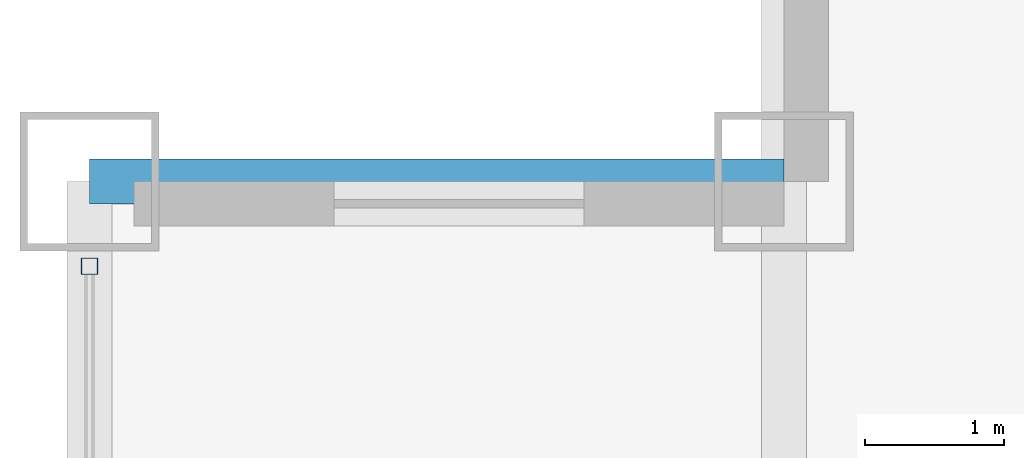
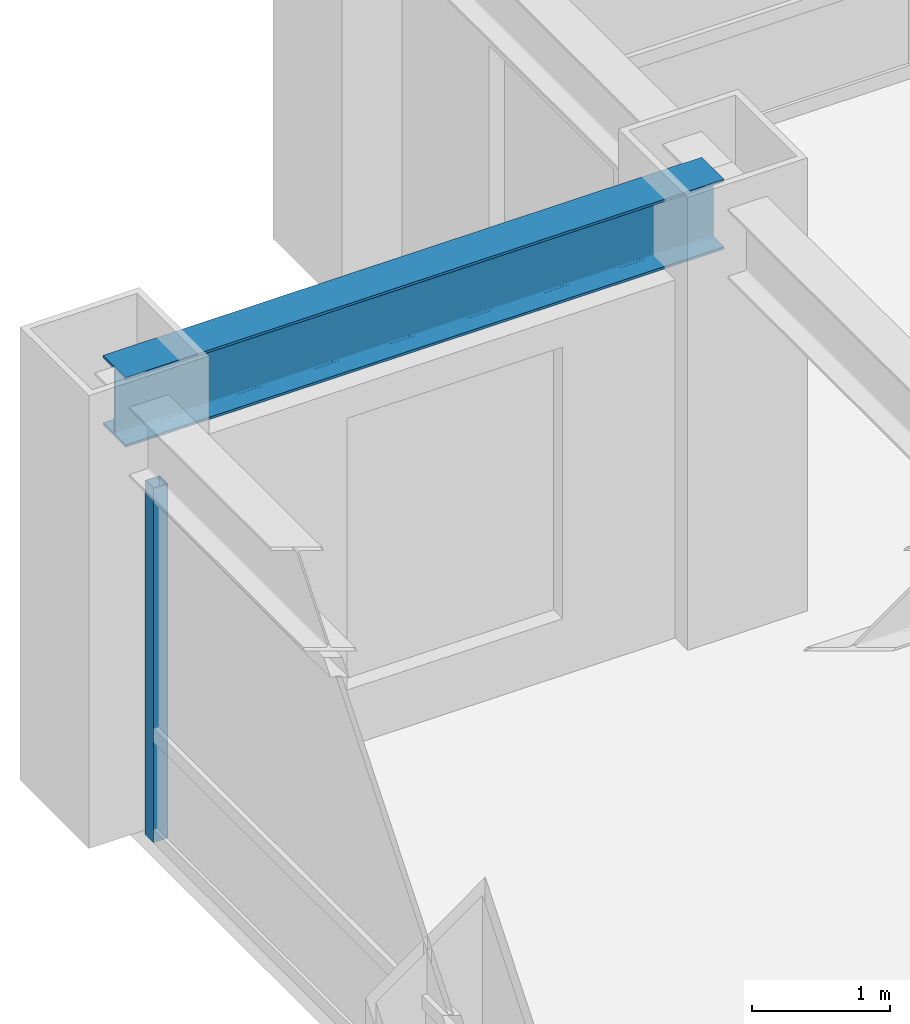
# One storey, part 12 of 24: 1 beam, 1 member, 1 element without a shape of its own.
"""IFC4 building model written with IfcOpenShell, lengths in metres."""

from ifc_helpers import new_model, si_unit, direction, frame, origin, origin_2d, place, context, subcontext, project, spatial, hollow_rectangle, i_section, extrude, source, transform, mapped, material, material_profile, profile_set, type_object, element, aggregate, save


model = new_model("IFC4")

# Units and contexts
model_context = context("Model", 3, precision=1e-05, world=origin(), true_north=direction((0.0, 1.0)))
body_context = subcontext(model_context, "Body", "Model", "MODEL_VIEW")
ifc_project = project(units=[si_unit("LENGTHUNIT", "METRE"), si_unit("AREAUNIT", "SQUARE_METRE"), si_unit("VOLUMEUNIT", "CUBIC_METRE"), si_unit("PLANEANGLEUNIT", "RADIAN"), si_unit("MASSUNIT", "GRAM", prefix="KILO")], contexts=[model_context])

# Site, building, storey
site_placement = place(None, origin())
site = spatial("IfcSite", under=ifc_project, at=site_placement, CompositionType="ELEMENT")
building_placement = place(site_placement, origin())
building = spatial("IfcBuilding", under=site, at=building_placement, Name="Khorayat Bourse Tower", CompositionType="ELEMENT")
storey_placement = place(building_placement, frame((0.0, 0.0, 259.10009765625)))
storey = spatial("IfcBuildingStorey", under=building, at=storey_placement, Name="L61", CompositionType="ELEMENT", Elevation=259.10009765625)

# Beam
ifc_material_1 = material(Name="Steel ASTM A992 Grade 50", Category="steel")
ifc_material_profile_1 = material_profile(ifc_material_1, i_section(OverallWidth=0.324951171875, OverallDepth=0.615966796875, WebThickness=0.013916015625, FlangeThickness=0.021484375, FilletRadius=0.01611328125, at=origin_2d()), Name="W610X174")
ifc_profile_set_1 = profile_set([ifc_material_profile_1], Name="Steel ASTM A992 Grade 50")
beam_type = type_object("IfcBeamType", Name="BM-SPAN-610", PredefinedType="SPANDREL", material=ifc_profile_set_1)
shared_shape_1 = source(origin(), body_context, "Body", "SweptSolid", [
    extrude(i_section(OverallWidth=0.324951171875, OverallDepth=0.615966796875, WebThickness=0.013916015625, FlangeThickness=0.021484375, FilletRadius=0.01611328125, at=origin_2d()), origin(), (0.0, 0.0, 1.0), 5.0),
])
beam_placement = place(storey_placement, frame((-30.0, 25.0, 3.471923828125), z_axis=(1.0, 0.0, 0.0), x_axis=(0.0, 1.0, 0.0)))
element("IfcBeam", 1, at=beam_placement, inside=storey, type_object=beam_type, Name="L61 BM-SPAN-610 BM-L61-SPN-053", PredefinedType="SPANDREL", context=body_context, shape_type="MappedRepresentation", body=[
    mapped(shared_shape_1, transform((0.0, 0.0, 0.0), scale=1.0)),
])

# Curtain wall, member
ifc_material_2 = material(Name="Aluminium EN AW-6063 T6", Category="aluminium")
curtain_wall_type = type_object("IfcCurtainWallType", Name="CW-SYS-03", PredefinedType="NOTDEFINED", material=ifc_material_2)
curtain_wall_placement = place(storey_placement, origin())
curtain_wall = element("IfcCurtainWall", 2, at=curtain_wall_placement, inside=storey, type_object=curtain_wall_type, Name="L61 Curtain Wall CW-L61-W1", PredefinedType="NOTDEFINED")
ifc_material_profile_2 = material_profile(ifc_material_2, hollow_rectangle(XDim=0.1201171875, YDim=0.1201171875, WallThickness=0.0048828125, at=origin_2d()), Name="ALU 120x120x5")
ifc_profile_set_2 = profile_set([ifc_material_profile_2], Name="Aluminium EN AW-6063 T6")
member_type = type_object("IfcMemberType", Name="CWM-VERT-120", PredefinedType="MULLION", material=ifc_profile_set_2)
shared_shape_2 = source(origin(), body_context, "Body", "SweptSolid", [
    extrude(hollow_rectangle(XDim=0.1201171875, YDim=0.1201171875, WallThickness=0.0048828125, at=origin_2d()), origin(), (0.0, 0.0, 1.0), 3.1298828125),
])
member_placement = place(storey_placement, frame((-30.0, 24.389892578125, 0.0), z_axis=(0.0, 0.0, 1.0), x_axis=(-1.0, 0.0, 0.0)))
member = element("IfcMember", 3, at=member_placement, type_object=member_type, Name="CW-L61-W1 Vertical Mullion 3", PredefinedType="MULLION", context=body_context, shape_type="MappedRepresentation", body=[
    mapped(shared_shape_2, transform((0.0, 0.0, 0.0), scale=1.0)),
])
aggregate(curtain_wall, [member])

save(model, "model.ifc")
